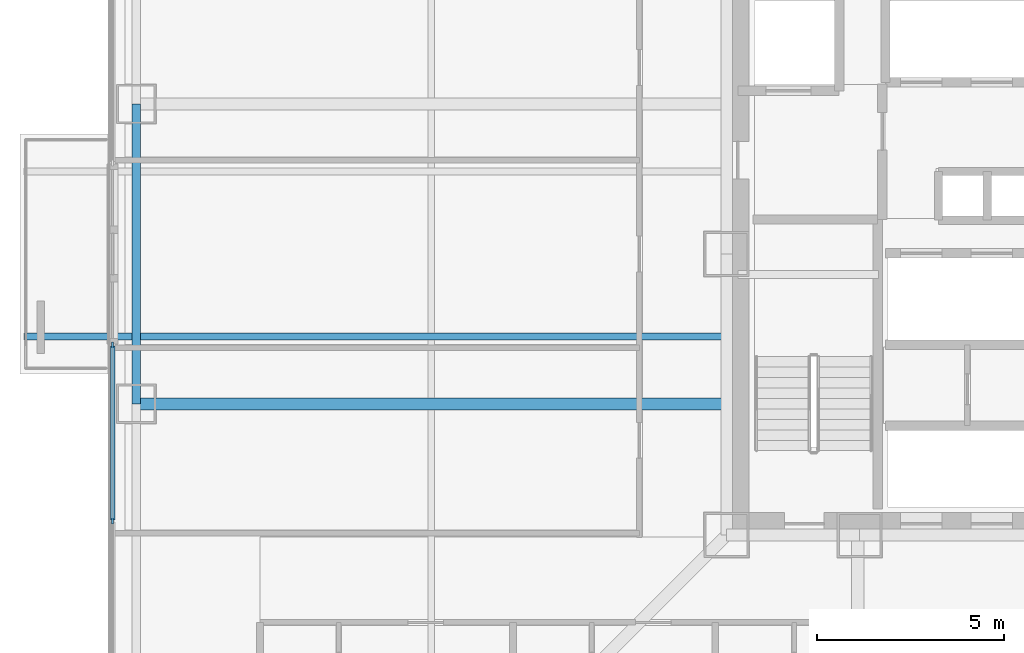
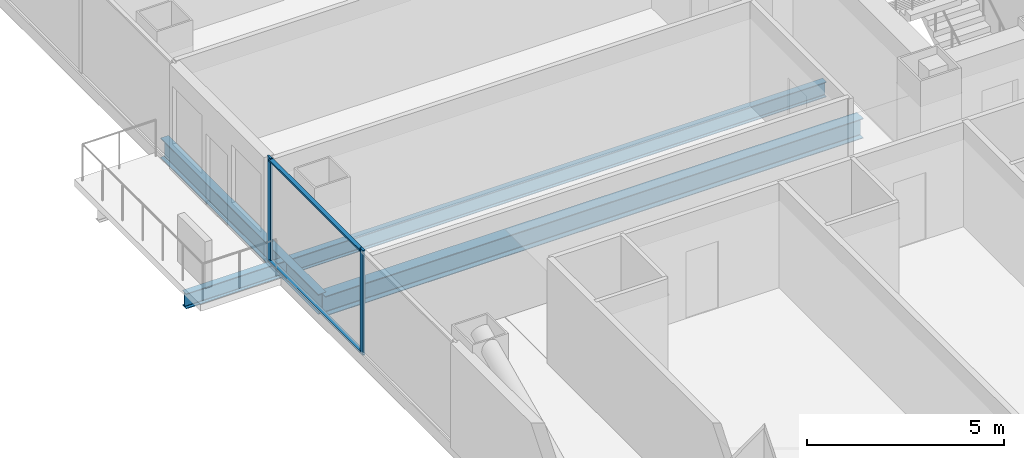
# One storey, part 4 of 20: 4 members, 3 beams, 1 element without a shape of its own.
"""IFC4 building model written with IfcOpenShell, lengths in metres."""

from ifc_helpers import new_model, si_unit, direction, frame, origin, origin_2d, place, context, subcontext, project, spatial, rectangle, i_section, extrude, material, layer, layer_set, material_profile, profile_set, type_object, element, aggregate, save


model = new_model("IFC4")

# Units and contexts
model_context = context("Model", 3, precision=1e-05, world=origin(), true_north=direction((0.0, 1.0)))
body_context = subcontext(model_context, "Body", "Model", "MODEL_VIEW")
ifc_project = project(units=[si_unit("LENGTHUNIT", "METRE"), si_unit("AREAUNIT", "SQUARE_METRE"), si_unit("VOLUMEUNIT", "CUBIC_METRE"), si_unit("PLANEANGLEUNIT", "RADIAN"), si_unit("MASSUNIT", "GRAM", prefix="KILO")], contexts=[model_context])

# Site, building, storey
site_placement = place(None, origin())
site = spatial("IfcSite", under=ifc_project, at=site_placement, CompositionType="ELEMENT")
building_placement = place(site_placement, origin())
building = spatial("IfcBuilding", under=site, at=building_placement, Name="Trevonay Congress Spire", CompositionType="ELEMENT")
storey_placement = place(building_placement, frame((0.0, 0.0, 76.0)))
storey = spatial("IfcBuildingStorey", under=building, at=storey_placement, Name="L19", CompositionType="ELEMENT", Elevation=76.0)

# Beams
ifc_material_1 = material(Name="Steel ASTM A572 Grade 50", Category="steel")
ifc_material_profile_1 = material_profile(ifc_material_1, i_section(OverallWidth=0.194091796875, OverallDepth=0.468994140625, WebThickness=0.011474609375, FlangeThickness=0.01953125, FilletRadius=0.013916015625, at=origin_2d()), Name="W460x106")
ifc_profile_set_1 = profile_set([ifc_material_profile_1], Name="Steel ASTM A572 Grade 50")
beam_type_1 = type_object("IfcBeamType", Name="BM-BAL-LOOKOUT", PredefinedType="BEAM", material=ifc_profile_set_1)
beam_1_placement = place(storey_placement, frame((-7.5, -2.199951171875, -0.484619140625), z_axis=(-1.0, 0.0, 0.0), x_axis=(0.0, -1.0, 0.0)))
element("IfcBeam", 1, at=beam_1_placement, inside=storey, type_object=beam_type_1, Name="L19 structural beam LKT-L19-W1", PredefinedType="BEAM", context=body_context, shape_type="SweptSolid", body=[
    extrude(i_section(OverallWidth=0.194091796875, OverallDepth=0.468994140625, WebThickness=0.011474609375, FlangeThickness=0.01953125, FilletRadius=0.013916015625, at=origin_2d()), origin(), (0.0, 0.0, 1.0), 18.75),
])
ifc_material_profile_2 = material_profile(ifc_material_1, i_section(OverallWidth=0.324951171875, OverallDepth=0.615966796875, WebThickness=0.013916015625, FlangeThickness=0.021484375, FilletRadius=0.01806640625, at=origin_2d()), Name="W610x174")
ifc_profile_set_2 = profile_set([ifc_material_profile_2], Name="Steel ASTM A572 Grade 50")
beam_type_2 = type_object("IfcBeamType", Name="BM-GIRD-W610X174", PredefinedType="BEAM", material=ifc_profile_set_2)
beam_2_placement = place(storey_placement, frame((-7.5, -4.0, -0.55810546875), z_axis=(-1.0, 0.0, 0.0), x_axis=(0.0, -1.0, 0.0)))
element("IfcBeam", 2, at=beam_2_placement, inside=storey, type_object=beam_type_2, Name="L19 structural beam BM-L19-GW-M", PredefinedType="BEAM", context=body_context, shape_type="SweptSolid", body=[
    extrude(i_section(OverallWidth=0.324951171875, OverallDepth=0.615966796875, WebThickness=0.013916015625, FlangeThickness=0.021484375, FilletRadius=0.01806640625, at=origin_2d()), origin(), (0.0, 0.0, 1.0), 15.75),
])
ifc_material_profile_3 = material_profile(ifc_material_1, i_section(OverallWidth=0.22998046875, OverallDepth=0.616943359375, WebThickness=0.01318359375, FlangeThickness=0.022216796875, FilletRadius=0.01611328125, at=origin_2d()), Name="W610x140")
ifc_profile_set_3 = profile_set([ifc_material_profile_3], Name="Steel ASTM A572 Grade 50")
beam_type_3 = type_object("IfcBeamType", Name="BM-RING-W610X140", PredefinedType="BEAM", material=ifc_profile_set_3)
beam_3_placement = place(storey_placement, frame((-23.25, -4.0, -0.55859375), z_axis=(0.0, 1.0, 0.0), x_axis=(-1.0, 0.0, 0.0)))
element("IfcBeam", 3, at=beam_3_placement, inside=storey, type_object=beam_type_3, Name="L19 structural beam BM-L19-PW3", PredefinedType="BEAM", context=body_context, shape_type="SweptSolid", body=[
    extrude(i_section(OverallWidth=0.22998046875, OverallDepth=0.616943359375, WebThickness=0.01318359375, FlangeThickness=0.022216796875, FilletRadius=0.01611328125, at=origin_2d()), origin(), (0.0, 0.0, 1.0), 8.0),
])

# Curtain wall, members
ifc_material_2 = material(Name="Pale Anodised Aluminium EN AW-6063-T6", Category="aluminium")
ifc_layer = layer(ifc_material_2, 0.179931640625, Name="Pale Anodised Aluminium EN AW-6063-T6")
ifc_layer_set = layer_set([ifc_layer], Name="Pale Anodised Aluminium EN AW-6063-T6")
curtain_wall_type = type_object("IfcCurtainWallType", Name="CW-SYS02-HOTEL-PALE-METAL", PredefinedType="NOTDEFINED", material=ifc_layer_set)
curtain_wall_placement = place(storey_placement, origin())
curtain_wall = element("IfcCurtainWall", 4, at=curtain_wall_placement, inside=storey, type_object=curtain_wall_type, Name="L19 WA unitised curtain wall", PredefinedType="NOTDEFINED")
ifc_material_profile_4 = material_profile(ifc_material_2, rectangle(XDim=0.06005859375, YDim=0.159912109375, at=origin_2d()), Name="CW-MULLION-160-ALUMINIUM")
ifc_profile_set_4 = profile_set([ifc_material_profile_4], Name="Pale Anodised Aluminium EN AW-6063-T6")
member_type_1 = type_object("IfcMemberType", Name="CW-MULLION-160-ALUMINIUM", PredefinedType="MULLION", material=ifc_profile_set_4)
member_1_placement = place(storey_placement, frame((-23.8798828125, -7.125, 0.0), z_axis=(0.0, 0.0, 1.0), x_axis=(-1.0, 0.0, 0.0)))
member_1 = element("IfcMember", 5, at=member_1_placement, type_object=member_type_1, Name="CW02 mullion 2", PredefinedType="MULLION", context=body_context, shape_type="SweptSolid", body=[
    extrude(rectangle(XDim=0.06005859375, YDim=0.159912109375, at=origin_2d()), origin(), (0.0, 0.0, 1.0), 3.25),
])
member_2_placement = place(storey_placement, frame((-23.8798828125, -2.429931640625, 0.0), z_axis=(0.0, 0.0, 1.0), x_axis=(-1.0, 0.0, 0.0)))
member_2 = element("IfcMember", 6, at=member_2_placement, type_object=member_type_1, Name="CW02 mullion 3", PredefinedType="MULLION", context=body_context, shape_type="SweptSolid", body=[
    extrude(rectangle(XDim=0.06005859375, YDim=0.159912109375, at=origin_2d()), origin(), (0.0, 0.0, 1.0), 3.25),
])
ifc_material_profile_5 = material_profile(ifc_material_2, rectangle(XDim=0.1201171875, YDim=0.06005859375, at=origin_2d()), Name="CW-TRANSOM-120-ALUMINIUM")
ifc_profile_set_5 = profile_set([ifc_material_profile_5], Name="Pale Anodised Aluminium EN AW-6063-T6")
member_type_2 = type_object("IfcMemberType", Name="CW-TRANSOM-120-ALUMINIUM", PredefinedType="USERDEFINED", material=ifc_profile_set_5)
member_3_placement = place(storey_placement, frame((-23.8798828125, -7.094970703125, 0.06005859375), z_axis=(0.0, 1.0, 0.0), x_axis=(-1.0, 0.0, 0.0)))
member_3 = element("IfcMember", 7, at=member_3_placement, type_object=member_type_2, Name="CW02 transom 2.1", ObjectType="TRANSOM", PredefinedType="USERDEFINED", context=body_context, shape_type="SweptSolid", body=[
    extrude(rectangle(XDim=0.1201171875, YDim=0.06005859375, at=origin_2d()), origin(), (0.0, 0.0, 1.0), 4.635009765625),
])
member_4_placement = place(storey_placement, frame((-23.8798828125, -7.094970703125, 3.18994140625), z_axis=(0.0, 1.0, 0.0), x_axis=(-1.0, 0.0, 0.0)))
member_4 = element("IfcMember", 8, at=member_4_placement, type_object=member_type_2, Name="CW02 transom 2.2", ObjectType="TRANSOM", PredefinedType="USERDEFINED", context=body_context, shape_type="SweptSolid", body=[
    extrude(rectangle(XDim=0.1201171875, YDim=0.06005859375, at=origin_2d()), origin(), (0.0, 0.0, 1.0), 4.635009765625),
])
aggregate(curtain_wall, [member_1, member_2, member_3, member_4])

save(model, "model.ifc")
